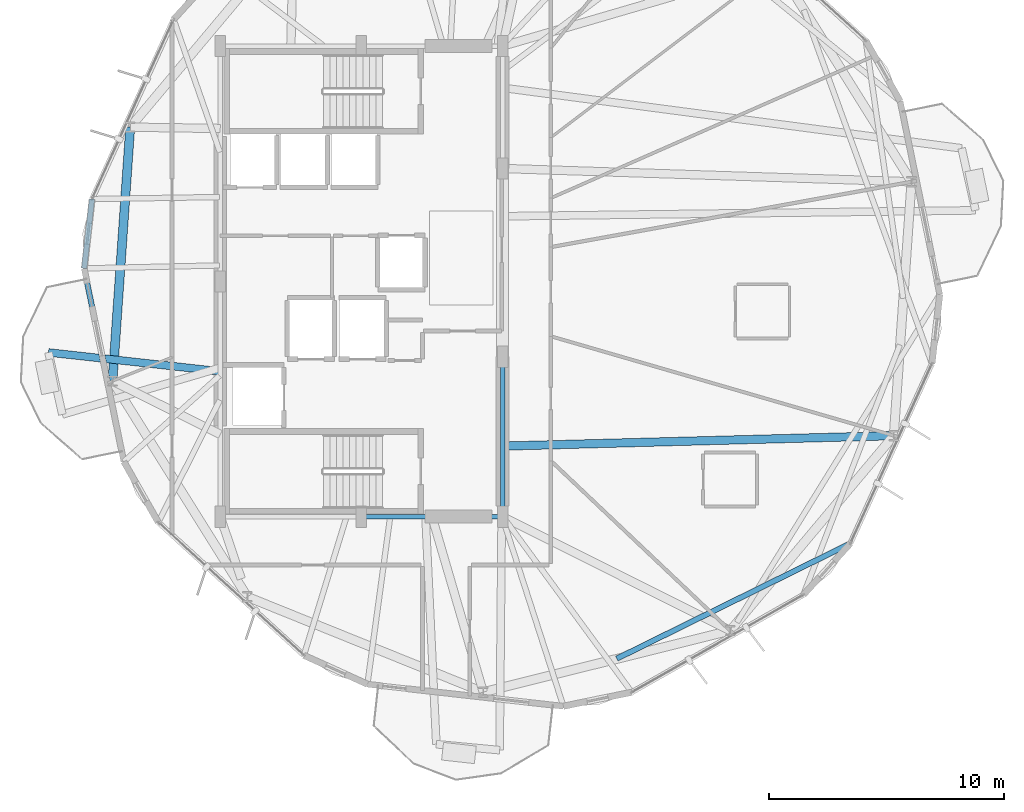
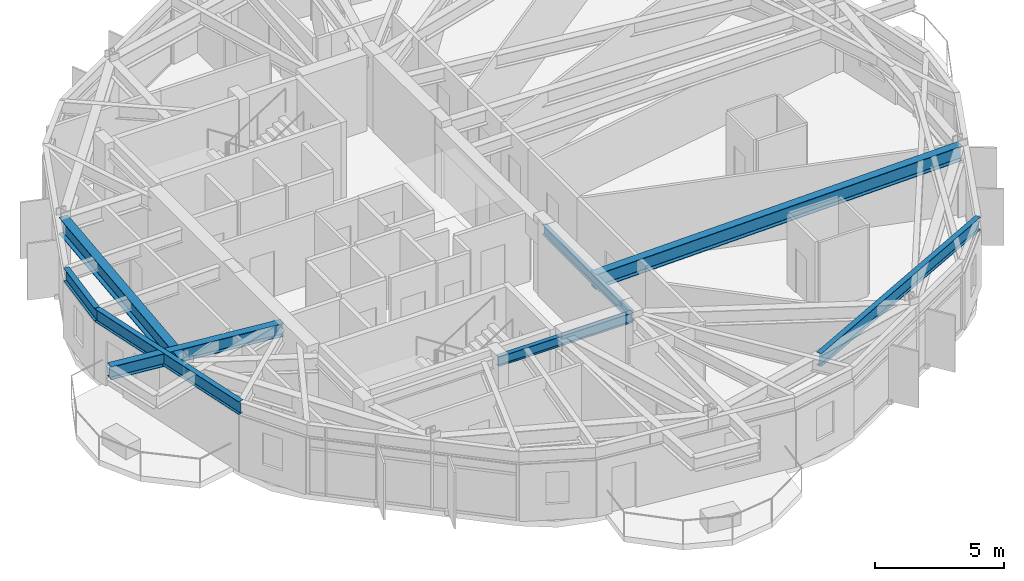
# One storey, part 6 of 22: 8 beams.
"""IFC4 building model written with IfcOpenShell, lengths in metres."""

from ifc_helpers import new_model, si_unit, direction, frame, origin, origin_2d, place, context, subcontext, project, spatial, i_section, extrude, material, material_profile, profile_set, type_object, element, save


model = new_model("IFC4")

# Units and contexts
model_context = context("Model", 3, precision=1e-05, world=origin(), true_north=direction((0.0, 1.0)))
body_context = subcontext(model_context, "Body", "Model", "MODEL_VIEW")
ifc_project = project(units=[si_unit("LENGTHUNIT", "METRE"), si_unit("AREAUNIT", "SQUARE_METRE"), si_unit("VOLUMEUNIT", "CUBIC_METRE"), si_unit("PLANEANGLEUNIT", "RADIAN"), si_unit("MASSUNIT", "GRAM", prefix="KILO")], contexts=[model_context])

# Site, building, storey
site_placement = place(None, origin())
site = spatial("IfcSite", under=ifc_project, at=site_placement, CompositionType="ELEMENT")
building_placement = place(site_placement, origin())
building = spatial("IfcBuilding", under=site, at=building_placement, Name="Soratama Intermodal Tower", CompositionType="ELEMENT")
storey_placement = place(building_placement, frame((0.0, 0.0, 142.60009765625)))
storey = spatial("IfcBuildingStorey", under=building, at=storey_placement, Name="L34", CompositionType="ELEMENT", Elevation=142.60009765625)

# Beams
ifc_material_1 = material(Name="Structural steel ASTM A992 Grade 50", Category="steel")
ifc_material_profile_1 = material_profile(ifc_material_1, i_section(OverallWidth=0.324951171875, OverallDepth=0.615966796875, WebThickness=0.013916015625, FlangeThickness=0.021484375, FilletRadius=0.013916015625, at=origin_2d()), Name="W24X117")
ifc_profile_set_1 = profile_set([ifc_material_profile_1], Name="Structural steel ASTM A992 Grade 50")
beam_type_1 = type_object("IfcBeamType", Name="BM-CANT-W24X117", PredefinedType="BEAM", material=ifc_profile_set_1)
beam_1_placement = place(storey_placement, frame((32.56005859375, 21.180908203125, 2.991943359375), z_axis=(-0.993982793668, 0.109536322253, 0.0), x_axis=(-0.109536322253, -0.993982793668, 0.0)))
element("IfcBeam", 1, at=beam_1_placement, inside=storey, type_object=beam_type_1, Name="BM-L34-CANT-3-1", PredefinedType="BEAM", context=body_context, shape_type="SweptSolid", body=[
    extrude(i_section(OverallWidth=0.324951171875, OverallDepth=0.615966796875, WebThickness=0.013916015625, FlangeThickness=0.021484375, FilletRadius=0.013916015625, at=origin_2d()), origin(), (0.0, 0.0, 1.0), 7.303955078125),
])
ifc_material_2 = material(Name="Structural steel ASTM A992 Grade 50", Category="steel")
ifc_material_profile_2 = material_profile(ifc_material_2, i_section(OverallWidth=0.19091796875, OverallDepth=0.4599609375, WebThickness=0.010009765625, FlangeThickness=0.01611328125, FilletRadius=0.010986328125, at=origin_2d()), Name="W18X55")
ifc_profile_set_2 = profile_set([ifc_material_profile_2], Name="Structural steel ASTM A992 Grade 50")
beam_type_2 = type_object("IfcBeamType", Name="BM-FLR-W18X55", PredefinedType="BEAM", material=ifc_profile_set_2)
beam_2_placement = place(storey_placement, frame((38.60009765625, 15.0, 3.06982421875), z_axis=(1.0, 0.0, 0.0), x_axis=(0.0, 1.0, 0.0)))
element("IfcBeam", 2, at=beam_2_placement, inside=storey, type_object=beam_type_2, Name="BM-L34-CRING-02", PredefinedType="BEAM", context=body_context, shape_type="SweptSolid", body=[
    extrude(i_section(OverallWidth=0.19091796875, OverallDepth=0.4599609375, WebThickness=0.010009765625, FlangeThickness=0.01611328125, FilletRadius=0.010986328125, at=origin_2d()), origin(), (0.0, 0.0, 1.0), 6.0),
])
beam_3_placement = place(storey_placement, frame((44.60009765625, 15.0, 3.06982421875), z_axis=(0.0, 1.0, 0.0), x_axis=(-1.0, 0.0, 0.0)))
element("IfcBeam", 3, at=beam_3_placement, inside=storey, type_object=beam_type_2, Name="BM-L34-CRING-03", PredefinedType="BEAM", context=body_context, shape_type="SweptSolid", body=[
    extrude(i_section(OverallWidth=0.19091796875, OverallDepth=0.4599609375, WebThickness=0.010009765625, FlangeThickness=0.01611328125, FilletRadius=0.010986328125, at=origin_2d()), origin(), (0.0, 0.0, 1.0), 6.800048828125),
])
ifc_material_3 = material(Name="Structural steel ASTM A992 Grade 50", Category="steel")
ifc_material_profile_3 = material_profile(ifc_material_3, i_section(OverallWidth=0.35498046875, OverallDepth=0.695068359375, WebThickness=0.015380859375, FlangeThickness=0.02490234375, FilletRadius=0.01611328125, at=origin_2d()), Name="W27X146")
ifc_profile_set_3 = profile_set([ifc_material_profile_3], Name="Structural steel ASTM A992 Grade 50")
beam_type_3 = type_object("IfcBeamType", Name="BM-RING-W27X146", PredefinedType="BEAM", material=ifc_profile_set_3)
beam_4_placement = place(storey_placement, frame((44.60009765625, 18.0, 2.952392578125), z_axis=(0.999643459503, 0.026701196077, 0.0), x_axis=(-0.026701196077, 0.999643459503, 0.0)))
element("IfcBeam", 4, at=beam_4_placement, inside=storey, type_object=beam_type_3, Name="BM-L34-RAD-10", PredefinedType="BEAM", context=body_context, shape_type="SweptSolid", body=[
    extrude(i_section(OverallWidth=0.35498046875, OverallDepth=0.695068359375, WebThickness=0.015380859375, FlangeThickness=0.02490234375, FilletRadius=0.01611328125, at=origin_2d()), origin(), (0.0, 0.0, 1.0), 16.6318359375),
])
ifc_material_4 = material(Name="Structural steel ASTM A992 Grade 50", Category="steel")
ifc_material_profile_4 = material_profile(ifc_material_4, i_section(OverallWidth=0.382080078125, OverallDepth=0.779052734375, WebThickness=0.01806640625, FlangeThickness=0.030029296875, FilletRadius=0.01806640625, at=origin_2d()), Name="W30X191")
ifc_profile_set_4 = profile_set([ifc_material_profile_4], Name="Structural steel ASTM A992 Grade 50")
beam_type_4 = type_object("IfcBeamType", Name="BM-RING-W30X191", PredefinedType="BEAM", material=ifc_profile_set_4)
beam_5_placement = place(storey_placement, frame((28.77392578125, 31.555908203125, 2.910400390625), z_axis=(-0.069702217409, -0.99756784275, 0.0), x_axis=(0.99756784275, -0.069702217409, 0.0)))
element("IfcBeam", 5, at=beam_5_placement, inside=storey, type_object=beam_type_4, Name="BM-L34-RING-05", PredefinedType="BEAM", context=body_context, shape_type="SweptSolid", body=[
    extrude(i_section(OverallWidth=0.382080078125, OverallDepth=0.779052734375, WebThickness=0.01806640625, FlangeThickness=0.030029296875, FilletRadius=0.01806640625, at=origin_2d()), origin(), (0.0, 0.0, 1.0), 10.816162109375),
])
ifc_material_5 = material(Name="Structural steel ASTM A992 Grade 50", Category="steel")
ifc_material_profile_5 = material_profile(ifc_material_5, i_section(OverallWidth=0.22900390625, OverallDepth=0.612060546875, WebThickness=0.011962890625, FlangeThickness=0.01953125, FilletRadius=0.012939453125, at=origin_2d()), Name="W24X84")
ifc_profile_set_5 = profile_set([ifc_material_profile_5], Name="Structural steel ASTM A992 Grade 50")
beam_type_5 = type_object("IfcBeamType", Name="BM-SPN-W24X84", PredefinedType="SPANDREL", material=ifc_profile_set_5)
beam_6_placement = place(storey_placement, frame((27.14990234375, 28.5009765625, 2.993896484375), z_axis=(-0.111840485986, -0.993726172391, 0.0), x_axis=(0.993726172391, -0.111840485986, 0.0)))
element("IfcBeam", 6, at=beam_6_placement, inside=storey, type_object=beam_type_5, Name="BS-L34-CRN04", PredefinedType="SPANDREL", context=body_context, shape_type="SweptSolid", body=[
    extrude(i_section(OverallWidth=0.22900390625, OverallDepth=0.612060546875, WebThickness=0.011962890625, FlangeThickness=0.01953125, FilletRadius=0.012939453125, at=origin_2d()), origin(), (0.0, 0.0, 1.0), 2.966552734375),
])
beam_7_placement = place(storey_placement, frame((26.818115234375, 25.552978515625, 2.993896484375), z_axis=(0.200734189033, -0.979645744825, 0.0), x_axis=(0.979645744825, 0.200734189033, 0.0)))
element("IfcBeam", 7, at=beam_7_placement, inside=storey, type_object=beam_type_5, Name="BS-L34-F05", PredefinedType="SPANDREL", context=body_context, shape_type="SweptSolid", body=[
    extrude(i_section(OverallWidth=0.22900390625, OverallDepth=0.612060546875, WebThickness=0.011962890625, FlangeThickness=0.01953125, FilletRadius=0.012939453125, at=origin_2d()), origin(), (0.0, 0.0, 1.0), 8.383544921875),
])
ifc_material_6 = material(Name="Structural steel ASTM A992 Grade 50", Category="steel")
ifc_material_profile_6 = material_profile(ifc_material_6, i_section(OverallWidth=0.22900390625, OverallDepth=0.612060546875, WebThickness=0.011962890625, FlangeThickness=0.01953125, FilletRadius=0.012939453125, at=origin_2d()), Name="W24X84")
ifc_profile_set_6 = profile_set([ifc_material_profile_6], Name="Structural steel ASTM A992 Grade 50")
beam_type_6 = type_object("IfcBeamType", Name="BM-TIE-W24X84", PredefinedType="BEAM", material=ifc_profile_set_6)
beam_8_placement = place(storey_placement, frame((49.451904296875, 8.966064453125, 2.993896484375), z_axis=(0.896839003505, 0.442357097594, 0.0), x_axis=(-0.442357097594, 0.896839003505, 0.0)))
element("IfcBeam", 8, at=beam_8_placement, inside=storey, type_object=beam_type_6, Name="BM-L34-TIE0-09", PredefinedType="BEAM", context=body_context, shape_type="SweptSolid", body=[
    extrude(i_section(OverallWidth=0.22900390625, OverallDepth=0.612060546875, WebThickness=0.011962890625, FlangeThickness=0.01953125, FilletRadius=0.012939453125, at=origin_2d()), origin(), (0.0, 0.0, 1.0), 11.07470703125),
])

save(model, "model.ifc")
